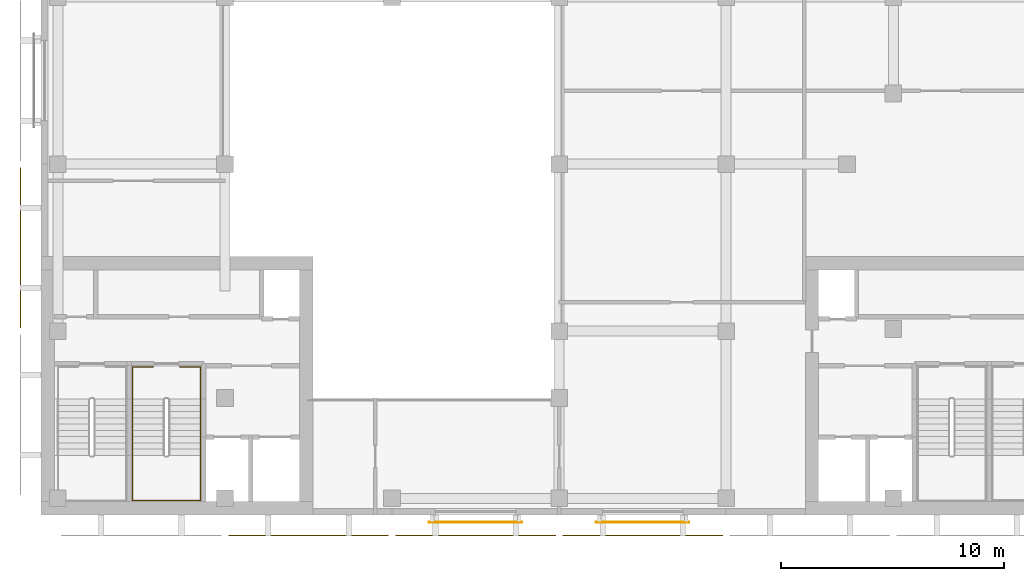
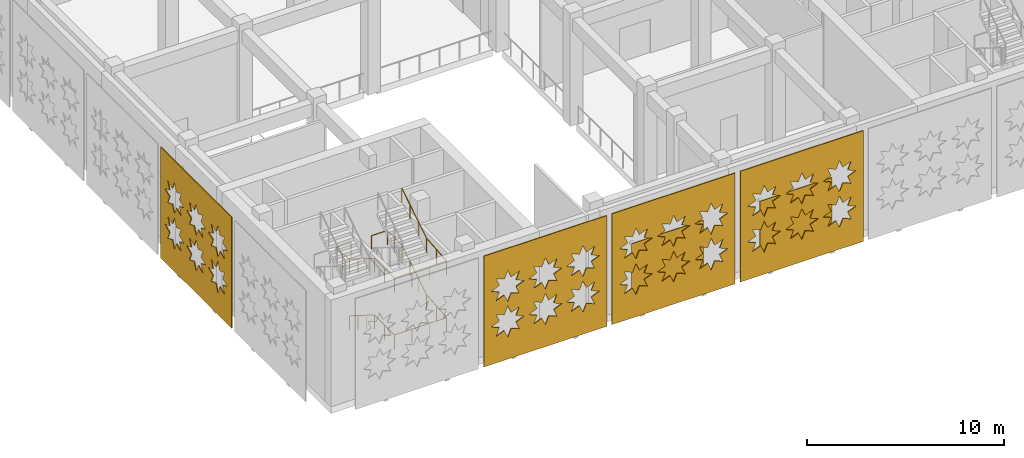
# One storey, part 30 of 42: 6 coverings, 2 railings.
"""IFC4 building model written with IfcOpenShell, lengths in metres."""

from ifc_helpers import new_model, si_unit, direction, frame, origin, origin_2d, place, context, subcontext, project, spatial, polyline, rectangle, circle, outline, extrude, material, layer, layer_set, type_object, element, save


model = new_model("IFC4")

# Units and contexts
model_context = context("Model", 3, precision=1e-05, world=origin(), true_north=direction((0.0, 1.0)))
body_context = subcontext(model_context, "Body", "Model", "MODEL_VIEW")
ifc_project = project(units=[si_unit("LENGTHUNIT", "METRE"), si_unit("AREAUNIT", "SQUARE_METRE"), si_unit("VOLUMEUNIT", "CUBIC_METRE"), si_unit("PLANEANGLEUNIT", "RADIAN"), si_unit("MASSUNIT", "GRAM", prefix="KILO")], contexts=[model_context])

# Site, building, storey
site_placement = place(None, origin())
site = spatial("IfcSite", under=ifc_project, at=site_placement, CompositionType="ELEMENT")
building_placement = place(site_placement, origin())
building = spatial("IfcBuilding", under=site, at=building_placement, Name="Tessera Arch", CompositionType="ELEMENT")
storey_placement = place(building_placement, frame((0.0, 0.0, 14.0)))
storey = spatial("IfcBuildingStorey", under=building, at=storey_placement, Name="L02", CompositionType="ELEMENT", Elevation=14.0)

# Coverings
ifc_material_1 = material(Name="Anodised aluminium pale metal", Category="aluminium")
ifc_layer_1 = layer(ifc_material_1, 0.050048828125)
ifc_layer_set_1 = layer_set([ifc_layer_1], Name="Museum lattice skin panel")
covering_type_1 = type_object("IfcCoveringType", Name="Museum lattice skin panel", PredefinedType="CLADDING", material=ifc_layer_set_1)
covering_1_placement = place(storey_placement, frame((-24.14990234375, -33.449951171875, 6.949951171875), z_axis=(0.0, 1.0, 0.0), x_axis=(1.0, 0.0, 0.0)))
element("IfcCovering", 1, at=covering_1_placement, inside=storey, type_object=covering_type_1, Name="Museum lattice skin L02 1-3", PredefinedType="CLADDING", context=body_context, shape_type="SweptSolid", body=[
    extrude(outline(polyline([(0.0, 0.0), (7.199951171875, 0.0), (7.199951171875, 6.849853515625), (0.0, 6.849853515625), (0.0, 0.0)]), holes=[polyline([(2.367919921875, 4.52490234375), (1.887939453125, 4.322998046875), (2.083984375, 3.841064453125), (1.601806640625, 4.036865234375), (1.39990234375, 3.556884765625), (1.197998046875, 4.036865234375), (0.7158203125, 3.841064453125), (0.911865234375, 4.322998046875), (0.431884765625, 4.52490234375), (0.911865234375, 4.72705078125), (0.7158203125, 5.208984375), (1.197998046875, 5.012939453125), (1.39990234375, 5.492919921875), (1.601806640625, 5.012939453125), (2.083984375, 5.208984375), (1.887939453125, 4.72705078125), (2.367919921875, 4.52490234375)]), polyline([(2.367919921875, 2.324951171875), (1.887939453125, 2.123046875), (2.083984375, 1.640869140625), (1.601806640625, 1.8369140625), (1.39990234375, 1.35693359375), (1.197998046875, 1.8369140625), (0.7158203125, 1.640869140625), (0.911865234375, 2.123046875), (0.431884765625, 2.324951171875), (0.911865234375, 2.52685546875), (0.7158203125, 3.009033203125), (1.197998046875, 2.81298828125), (1.39990234375, 3.29296875), (1.601806640625, 2.81298828125), (2.083984375, 3.009033203125), (1.887939453125, 2.52685546875), (2.367919921875, 2.324951171875)]), polyline([(4.56787109375, 4.52490234375), (4.087890625, 4.322998046875), (4.283935546875, 3.841064453125), (3.802001953125, 4.036865234375), (3.599853515625, 3.556884765625), (3.39794921875, 4.036865234375), (2.916015625, 3.841064453125), (3.11181640625, 4.322998046875), (2.6318359375, 4.52490234375), (3.11181640625, 4.72705078125), (2.916015625, 5.208984375), (3.39794921875, 5.012939453125), (3.599853515625, 5.492919921875), (3.802001953125, 5.012939453125), (4.283935546875, 5.208984375), (4.087890625, 4.72705078125), (4.56787109375, 4.52490234375)]), polyline([(4.56787109375, 2.324951171875), (4.087890625, 2.123046875), (4.283935546875, 1.640869140625), (3.802001953125, 1.8369140625), (3.599853515625, 1.35693359375), (3.39794921875, 1.8369140625), (2.916015625, 1.640869140625), (3.11181640625, 2.123046875), (2.6318359375, 2.324951171875), (3.11181640625, 2.52685546875), (2.916015625, 3.009033203125), (3.39794921875, 2.81298828125), (3.599853515625, 3.29296875), (3.802001953125, 2.81298828125), (4.283935546875, 3.009033203125), (4.087890625, 2.52685546875), (4.56787109375, 2.324951171875)]), polyline([(6.767822265625, 4.52490234375), (6.287841796875, 4.322998046875), (6.48388671875, 3.841064453125), (6.001953125, 4.036865234375), (5.7998046875, 3.556884765625), (5.597900390625, 4.036865234375), (5.115966796875, 3.841064453125), (5.31201171875, 4.322998046875), (4.831787109375, 4.52490234375), (5.31201171875, 4.72705078125), (5.115966796875, 5.208984375), (5.597900390625, 5.012939453125), (5.7998046875, 5.492919921875), (6.001953125, 5.012939453125), (6.48388671875, 5.208984375), (6.287841796875, 4.72705078125), (6.767822265625, 4.52490234375)]), polyline([(6.767822265625, 2.324951171875), (6.287841796875, 2.123046875), (6.48388671875, 1.640869140625), (6.001953125, 1.8369140625), (5.7998046875, 1.35693359375), (5.597900390625, 1.8369140625), (5.115966796875, 1.640869140625), (5.31201171875, 2.123046875), (4.831787109375, 2.324951171875), (5.31201171875, 2.52685546875), (5.115966796875, 3.009033203125), (5.597900390625, 2.81298828125), (5.7998046875, 3.29296875), (6.001953125, 2.81298828125), (6.48388671875, 3.009033203125), (6.287841796875, 2.52685546875), (6.767822265625, 2.324951171875)])]), origin(), (0.0, 0.0, -1.0), 0.050048828125),
])
covering_2_placement = place(storey_placement, frame((-16.64990234375, -33.449951171875, 6.949951171875), z_axis=(0.0, 1.0, 0.0), x_axis=(1.0, 0.0, 0.0)))
element("IfcCovering", 2, at=covering_2_placement, inside=storey, type_object=covering_type_1, Name="Museum lattice skin L02 1-4", PredefinedType="CLADDING", context=body_context, shape_type="SweptSolid", body=[
    extrude(outline(polyline([(0.0, 0.0), (7.199951171875, 0.0), (7.199951171875, 6.849853515625), (0.0, 6.849853515625), (0.0, 0.0)]), holes=[polyline([(2.367919921875, 4.52490234375), (1.887939453125, 4.322998046875), (2.083984375, 3.841064453125), (1.601806640625, 4.036865234375), (1.39990234375, 3.556884765625), (1.197998046875, 4.036865234375), (0.7158203125, 3.841064453125), (0.911865234375, 4.322998046875), (0.431884765625, 4.52490234375), (0.911865234375, 4.72705078125), (0.7158203125, 5.208984375), (1.197998046875, 5.012939453125), (1.39990234375, 5.492919921875), (1.601806640625, 5.012939453125), (2.083984375, 5.208984375), (1.887939453125, 4.72705078125), (2.367919921875, 4.52490234375)]), polyline([(2.367919921875, 2.324951171875), (1.887939453125, 2.123046875), (2.083984375, 1.640869140625), (1.601806640625, 1.8369140625), (1.39990234375, 1.35693359375), (1.197998046875, 1.8369140625), (0.7158203125, 1.640869140625), (0.911865234375, 2.123046875), (0.431884765625, 2.324951171875), (0.911865234375, 2.52685546875), (0.7158203125, 3.009033203125), (1.197998046875, 2.81298828125), (1.39990234375, 3.29296875), (1.601806640625, 2.81298828125), (2.083984375, 3.009033203125), (1.887939453125, 2.52685546875), (2.367919921875, 2.324951171875)]), polyline([(4.56787109375, 4.52490234375), (4.087890625, 4.322998046875), (4.283935546875, 3.841064453125), (3.802001953125, 4.036865234375), (3.599853515625, 3.556884765625), (3.39794921875, 4.036865234375), (2.916015625, 3.841064453125), (3.11181640625, 4.322998046875), (2.6318359375, 4.52490234375), (3.11181640625, 4.72705078125), (2.916015625, 5.208984375), (3.39794921875, 5.012939453125), (3.599853515625, 5.492919921875), (3.802001953125, 5.012939453125), (4.283935546875, 5.208984375), (4.087890625, 4.72705078125), (4.56787109375, 4.52490234375)]), polyline([(4.56787109375, 2.324951171875), (4.087890625, 2.123046875), (4.283935546875, 1.640869140625), (3.802001953125, 1.8369140625), (3.599853515625, 1.35693359375), (3.39794921875, 1.8369140625), (2.916015625, 1.640869140625), (3.11181640625, 2.123046875), (2.6318359375, 2.324951171875), (3.11181640625, 2.52685546875), (2.916015625, 3.009033203125), (3.39794921875, 2.81298828125), (3.599853515625, 3.29296875), (3.802001953125, 2.81298828125), (4.283935546875, 3.009033203125), (4.087890625, 2.52685546875), (4.56787109375, 2.324951171875)]), polyline([(6.767822265625, 4.52490234375), (6.287841796875, 4.322998046875), (6.48388671875, 3.841064453125), (6.001953125, 4.036865234375), (5.7998046875, 3.556884765625), (5.597900390625, 4.036865234375), (5.115966796875, 3.841064453125), (5.31201171875, 4.322998046875), (4.831787109375, 4.52490234375), (5.31201171875, 4.72705078125), (5.115966796875, 5.208984375), (5.597900390625, 5.012939453125), (5.7998046875, 5.492919921875), (6.001953125, 5.012939453125), (6.48388671875, 5.208984375), (6.287841796875, 4.72705078125), (6.767822265625, 4.52490234375)]), polyline([(6.767822265625, 2.324951171875), (6.287841796875, 2.123046875), (6.48388671875, 1.640869140625), (6.001953125, 1.8369140625), (5.7998046875, 1.35693359375), (5.597900390625, 1.8369140625), (5.115966796875, 1.640869140625), (5.31201171875, 2.123046875), (4.831787109375, 2.324951171875), (5.31201171875, 2.52685546875), (5.115966796875, 3.009033203125), (5.597900390625, 2.81298828125), (5.7998046875, 3.29296875), (6.001953125, 2.81298828125), (6.48388671875, 3.009033203125), (6.287841796875, 2.52685546875), (6.767822265625, 2.324951171875)])]), origin(), (0.0, 0.0, -1.0), 0.050048828125),
])
covering_3_placement = place(storey_placement, frame((-9.14990234375, -33.449951171875, 6.949951171875), z_axis=(0.0, 1.0, 0.0), x_axis=(1.0, 0.0, 0.0)))
element("IfcCovering", 3, at=covering_3_placement, inside=storey, type_object=covering_type_1, Name="Museum lattice skin L02 1-5", PredefinedType="CLADDING", context=body_context, shape_type="SweptSolid", body=[
    extrude(outline(polyline([(0.0, 0.0), (7.199951171875, 0.0), (7.199951171875, 6.849853515625), (0.0, 6.849853515625), (0.0, 0.0)]), holes=[polyline([(2.367919921875, 4.52490234375), (1.887939453125, 4.322998046875), (2.083984375, 3.841064453125), (1.601806640625, 4.036865234375), (1.39990234375, 3.556884765625), (1.197998046875, 4.036865234375), (0.7158203125, 3.841064453125), (0.911865234375, 4.322998046875), (0.431884765625, 4.52490234375), (0.911865234375, 4.72705078125), (0.7158203125, 5.208984375), (1.197998046875, 5.012939453125), (1.39990234375, 5.492919921875), (1.601806640625, 5.012939453125), (2.083984375, 5.208984375), (1.887939453125, 4.72705078125), (2.367919921875, 4.52490234375)]), polyline([(2.367919921875, 2.324951171875), (1.887939453125, 2.123046875), (2.083984375, 1.640869140625), (1.601806640625, 1.8369140625), (1.39990234375, 1.35693359375), (1.197998046875, 1.8369140625), (0.7158203125, 1.640869140625), (0.911865234375, 2.123046875), (0.431884765625, 2.324951171875), (0.911865234375, 2.52685546875), (0.7158203125, 3.009033203125), (1.197998046875, 2.81298828125), (1.39990234375, 3.29296875), (1.601806640625, 2.81298828125), (2.083984375, 3.009033203125), (1.887939453125, 2.52685546875), (2.367919921875, 2.324951171875)]), polyline([(4.56787109375, 4.52490234375), (4.087890625, 4.322998046875), (4.283935546875, 3.841064453125), (3.802001953125, 4.036865234375), (3.599853515625, 3.556884765625), (3.39794921875, 4.036865234375), (2.916015625, 3.841064453125), (3.11181640625, 4.322998046875), (2.6318359375, 4.52490234375), (3.11181640625, 4.72705078125), (2.916015625, 5.208984375), (3.39794921875, 5.012939453125), (3.599853515625, 5.492919921875), (3.802001953125, 5.012939453125), (4.283935546875, 5.208984375), (4.087890625, 4.72705078125), (4.56787109375, 4.52490234375)]), polyline([(4.56787109375, 2.324951171875), (4.087890625, 2.123046875), (4.283935546875, 1.640869140625), (3.802001953125, 1.8369140625), (3.599853515625, 1.35693359375), (3.39794921875, 1.8369140625), (2.916015625, 1.640869140625), (3.11181640625, 2.123046875), (2.6318359375, 2.324951171875), (3.11181640625, 2.52685546875), (2.916015625, 3.009033203125), (3.39794921875, 2.81298828125), (3.599853515625, 3.29296875), (3.802001953125, 2.81298828125), (4.283935546875, 3.009033203125), (4.087890625, 2.52685546875), (4.56787109375, 2.324951171875)]), polyline([(6.767822265625, 4.52490234375), (6.287841796875, 4.322998046875), (6.48388671875, 3.841064453125), (6.001953125, 4.036865234375), (5.7998046875, 3.556884765625), (5.597900390625, 4.036865234375), (5.115966796875, 3.841064453125), (5.31201171875, 4.322998046875), (4.831787109375, 4.52490234375), (5.31201171875, 4.72705078125), (5.115966796875, 5.208984375), (5.597900390625, 5.012939453125), (5.7998046875, 5.492919921875), (6.001953125, 5.012939453125), (6.48388671875, 5.208984375), (6.287841796875, 4.72705078125), (6.767822265625, 4.52490234375)]), polyline([(6.767822265625, 2.324951171875), (6.287841796875, 2.123046875), (6.48388671875, 1.640869140625), (6.001953125, 1.8369140625), (5.7998046875, 1.35693359375), (5.597900390625, 1.8369140625), (5.115966796875, 1.640869140625), (5.31201171875, 2.123046875), (4.831787109375, 2.324951171875), (5.31201171875, 2.52685546875), (5.115966796875, 3.009033203125), (5.597900390625, 2.81298828125), (5.7998046875, 3.29296875), (6.001953125, 2.81298828125), (6.48388671875, 3.009033203125), (6.287841796875, 2.52685546875), (6.767822265625, 2.324951171875)])]), origin(), (0.0, 0.0, -1.0), 0.050048828125),
])
covering_4_placement = place(storey_placement, frame((-33.449951171875, -16.949951171875, 6.949951171875), z_axis=(1.0, 0.0, 0.0), x_axis=(0.0, -1.0, 0.0)))
element("IfcCovering", 4, at=covering_4_placement, inside=storey, type_object=covering_type_1, Name="Museum lattice skin L02 6-12", PredefinedType="CLADDING", context=body_context, shape_type="SweptSolid", body=[
    extrude(outline(polyline([(0.0, 0.0), (7.199951171875, 0.0), (7.199951171875, 6.849853515625), (0.0, 6.849853515625), (0.0, 0.0)]), holes=[polyline([(2.3681640625, 4.52490234375), (1.887939453125, 4.322998046875), (2.083984375, 3.841064453125), (1.60205078125, 4.036865234375), (1.400146484375, 3.556884765625), (1.197998046875, 4.036865234375), (0.716064453125, 3.841064453125), (0.912109375, 4.322998046875), (0.43212890625, 4.52490234375), (0.912109375, 4.72705078125), (0.716064453125, 5.208984375), (1.197998046875, 5.012939453125), (1.400146484375, 5.492919921875), (1.60205078125, 5.012939453125), (2.083984375, 5.208984375), (1.887939453125, 4.72705078125), (2.3681640625, 4.52490234375)]), polyline([(2.3681640625, 2.324951171875), (1.887939453125, 2.123046875), (2.083984375, 1.640869140625), (1.60205078125, 1.8369140625), (1.400146484375, 1.35693359375), (1.197998046875, 1.8369140625), (0.716064453125, 1.640869140625), (0.912109375, 2.123046875), (0.43212890625, 2.324951171875), (0.912109375, 2.52685546875), (0.716064453125, 3.009033203125), (1.197998046875, 2.81298828125), (1.400146484375, 3.29296875), (1.60205078125, 2.81298828125), (2.083984375, 3.009033203125), (1.887939453125, 2.52685546875), (2.3681640625, 2.324951171875)]), polyline([(4.568115234375, 4.52490234375), (4.088134765625, 4.322998046875), (4.283935546875, 3.841064453125), (3.802001953125, 4.036865234375), (3.60009765625, 3.556884765625), (3.39794921875, 4.036865234375), (2.916015625, 3.841064453125), (3.112060546875, 4.322998046875), (2.632080078125, 4.52490234375), (3.112060546875, 4.72705078125), (2.916015625, 5.208984375), (3.39794921875, 5.012939453125), (3.60009765625, 5.492919921875), (3.802001953125, 5.012939453125), (4.283935546875, 5.208984375), (4.088134765625, 4.72705078125), (4.568115234375, 4.52490234375)]), polyline([(4.568115234375, 2.324951171875), (4.088134765625, 2.123046875), (4.283935546875, 1.640869140625), (3.802001953125, 1.8369140625), (3.60009765625, 1.35693359375), (3.39794921875, 1.8369140625), (2.916015625, 1.640869140625), (3.112060546875, 2.123046875), (2.632080078125, 2.324951171875), (3.112060546875, 2.52685546875), (2.916015625, 3.009033203125), (3.39794921875, 2.81298828125), (3.60009765625, 3.29296875), (3.802001953125, 2.81298828125), (4.283935546875, 3.009033203125), (4.088134765625, 2.52685546875), (4.568115234375, 2.324951171875)]), polyline([(6.76806640625, 4.52490234375), (6.2880859375, 4.322998046875), (6.484130859375, 3.841064453125), (6.001953125, 4.036865234375), (5.800048828125, 3.556884765625), (5.59814453125, 4.036865234375), (5.115966796875, 3.841064453125), (5.31201171875, 4.322998046875), (4.83203125, 4.52490234375), (5.31201171875, 4.72705078125), (5.115966796875, 5.208984375), (5.59814453125, 5.012939453125), (5.800048828125, 5.492919921875), (6.001953125, 5.012939453125), (6.484130859375, 5.208984375), (6.2880859375, 4.72705078125), (6.76806640625, 4.52490234375)]), polyline([(6.76806640625, 2.324951171875), (6.2880859375, 2.123046875), (6.484130859375, 1.640869140625), (6.001953125, 1.8369140625), (5.800048828125, 1.35693359375), (5.59814453125, 1.8369140625), (5.115966796875, 1.640869140625), (5.31201171875, 2.123046875), (4.83203125, 2.324951171875), (5.31201171875, 2.52685546875), (5.115966796875, 3.009033203125), (5.59814453125, 2.81298828125), (5.800048828125, 3.29296875), (6.001953125, 2.81298828125), (6.484130859375, 3.009033203125), (6.2880859375, 2.52685546875), (6.76806640625, 2.324951171875)])]), origin(), (0.0, 0.0, -1.0), 0.050048828125),
])
ifc_material_2 = material(Name="Anodised aluminium pale metal", Category="aluminium")
ifc_layer_2 = layer(ifc_material_2, 0.0400390625)
ifc_layer_set_2 = layer_set([ifc_layer_2], Name="Museum screen panel")
covering_type_2 = type_object("IfcCoveringType", Name="Museum screen panel", PredefinedType="CLADDING", material=ifc_layer_set_2)
for number, where, z_axis, x_axis, name in (
    (5, (-13.050048828125, -32.8701171875, 0.599853515625), (0.0, 0.0, 1.0), (1.0, 0.0, 0.0), "Screen panel museum L02 1-4"),
    (6, (-5.550048828125, -32.8701171875, 0.599853515625), (0.0, 0.0, 1.0), (1.0, 0.0, 0.0), "Screen panel museum L02 1-5"),
):
    element("IfcCovering", number, at=place(storey_placement, frame(where, z_axis=z_axis, x_axis=x_axis)), inside=storey, type_object=covering_type_2, Name=name, PredefinedType="CLADDING", context=body_context, shape_type="SweptSolid", body=[
        extrude(rectangle(XDim=4.199951171875, YDim=0.0400390625, at=origin_2d()), origin(), (0.0, 0.0, 1.0), 3.60009765625),
    ])

# Railings
ifc_material_3 = material(Name="Painted steel handrail", Category="steel")
railing_type = type_object("IfcRailingType", Name="Stair handrail 900", PredefinedType="HANDRAIL", material=ifc_material_3)
railing_1_placement = place(storey_placement, frame((-28.449951171875, -27.35009765625, 0.175048828125)))
element("IfcRailing", 7, at=railing_1_placement, inside=storey, type_object=railing_type, Name="L02 M2b stair handrail", PredefinedType="HANDRAIL", context=body_context, shape_type="SweptSolid", body=[
    extrude(circle(Radius=0.02392578125, at=origin_2d()), frame((0.0, 0.00341796875, 0.873779296875), z_axis=(0.0, -0.848007534815, 0.529984170421), x_axis=(1.0, 0.0, 0.0)), (0.0, 0.0, 1.0), 2.979736328125),
    extrude(circle(Radius=0.02392578125, at=origin_2d()), frame((0.0, -2.51611328125, 2.45068359375), z_axis=(0.0, -1.0, 0.0), x_axis=(1.0, 0.0, 0.0)), (0.0, 0.0, 1.0), 2.037841796875),
    extrude(circle(Radius=0.02392578125, at=origin_2d()), frame((-0.00390625, -4.5498046875, 2.45068359375), z_axis=(1.0, 0.0, 0.0), x_axis=(0.0, 1.0, 0.0)), (0.0, 0.0, 1.0), 3.05810546875),
    extrude(circle(Radius=0.02392578125, at=origin_2d()), frame((3.050048828125, -4.5537109375, 2.450439453125), z_axis=(0.0, 0.996301939653, 0.08592115597), x_axis=(-1.0, 0.0, 0.0)), (0.0, 0.0, 1.0), 2.04541015625),
    extrude(circle(Radius=0.02392578125, at=origin_2d()), frame((3.050048828125, -2.5234375, 2.623779296875), z_axis=(0.0, 0.848007534815, 0.529984170421), x_axis=(-1.0, 0.0, 0.0)), (0.0, 0.0, 1.0), 2.979736328125),
    extrude(circle(Radius=0.02392578125, at=origin_2d()), frame((3.050048828125, -0.00390625, 4.20068359375), z_axis=(0.0, 1.0, 0.0), x_axis=(-1.0, 0.0, 0.0)), (0.0, 0.0, 1.0), 1.458251953125),
    extrude(circle(Radius=0.02392578125, at=origin_2d()), frame((3.053955078125, 1.4501953125, 4.20068359375), z_axis=(-1.0, 0.0, 0.0), x_axis=(0.0, -1.0, 0.0)), (0.0, 0.0, 1.0), 0.93310546875),
    extrude(circle(Radius=0.02099609375, at=origin_2d()), origin(), (0.0, 0.0, 1.0), 0.86376953125),
    extrude(circle(Radius=0.02099609375, at=origin_2d()), frame((0.0, -0.840087890625, 0.52490234375)), (0.0, 0.0, 1.0), 0.86376953125),
    extrude(circle(Radius=0.02099609375, at=origin_2d()), frame((0.0, -1.679931640625, 1.050048828125)), (0.0, 0.0, 1.0), 0.86376953125),
    extrude(circle(Radius=0.02099609375, at=origin_2d()), frame((0.0, -2.52001953125, 1.574951171875)), (0.0, 0.0, 1.0), 0.86376953125),
    extrude(circle(Radius=0.02099609375, at=origin_2d()), frame((0.0, -3.534912109375, 1.574951171875)), (0.0, 0.0, 1.0), 0.86376953125),
    extrude(circle(Radius=0.02099609375, at=origin_2d()), frame((0.0, -4.5498046875, 1.574951171875)), (0.0, 0.0, 1.0), 0.86376953125),
    extrude(circle(Radius=0.02099609375, at=origin_2d()), frame((1.0166015625, -4.5498046875, 1.574951171875)), (0.0, 0.0, 1.0), 0.86376953125),
    extrude(circle(Radius=0.02099609375, at=origin_2d()), frame((2.033447265625, -4.5498046875, 1.574951171875)), (0.0, 0.0, 1.0), 0.86376953125),
    extrude(circle(Radius=0.02099609375, at=origin_2d()), frame((3.050048828125, -4.5498046875, 1.574951171875)), (0.0, 0.0, 1.0), 0.86376953125),
    extrude(circle(Radius=0.02099609375, at=origin_2d()), frame((3.050048828125, -3.534912109375, 1.66259765625)), (0.0, 0.0, 1.0), 0.86376953125),
    extrude(circle(Radius=0.02099609375, at=origin_2d()), frame((3.050048828125, -2.52001953125, 1.75)), (0.0, 0.0, 1.0), 0.86376953125),
    extrude(circle(Radius=0.02099609375, at=origin_2d()), frame((3.050048828125, -1.679931640625, 2.27490234375)), (0.0, 0.0, 1.0), 0.86376953125),
    extrude(circle(Radius=0.02099609375, at=origin_2d()), frame((3.050048828125, -0.840087890625, 2.800048828125)), (0.0, 0.0, 1.0), 0.86376953125),
    extrude(circle(Radius=0.02099609375, at=origin_2d()), frame((3.050048828125, 0.0, 3.324951171875)), (0.0, 0.0, 1.0), 0.86376953125),
    extrude(circle(Radius=0.02099609375, at=origin_2d()), frame((3.050048828125, 0.72509765625, 3.324951171875)), (0.0, 0.0, 1.0), 0.86376953125),
    extrude(circle(Radius=0.02099609375, at=origin_2d()), frame((3.050048828125, 1.4501953125, 3.324951171875)), (0.0, 0.0, 1.0), 0.86376953125),
    extrude(circle(Radius=0.02099609375, at=origin_2d()), frame((2.125, 1.4501953125, 3.324951171875)), (0.0, 0.0, 1.0), 0.86376953125),
])
railing_2_placement = place(storey_placement, frame((-27.52490234375, -25.89990234375, 3.5)))
element("IfcRailing", 8, at=railing_2_placement, inside=storey, type_object=railing_type, Name="L02 M2b stair handrail 2", PredefinedType="HANDRAIL", context=body_context, shape_type="SweptSolid", body=[
    extrude(circle(Radius=0.02392578125, at=origin_2d()), frame((0.00390625, 0.0, 0.8759765625), z_axis=(-1.0, 0.0, 0.0), x_axis=(0.0, -1.0, 0.0)), (0.0, 0.0, 1.0), 0.93310546875),
    extrude(circle(Radius=0.02392578125, at=origin_2d()), frame((-0.925048828125, 0.00390625, 0.87548828125), z_axis=(0.0, -0.992793556095, 0.119837201973), x_axis=(1.0, 0.0, 0.0)), (0.0, 0.0, 1.0), 1.46875),
    extrude(circle(Radius=0.02392578125, at=origin_2d()), frame((-0.925048828125, -1.44677734375, 1.048828125), z_axis=(0.0, -0.848007534815, 0.529984170421), x_axis=(1.0, 0.0, 0.0)), (0.0, 0.0, 1.0), 2.979736328125),
    extrude(circle(Radius=0.02392578125, at=origin_2d()), frame((-0.925048828125, -3.96630859375, 2.6259765625), z_axis=(0.0, -1.0, 0.0), x_axis=(1.0, 0.0, 0.0)), (0.0, 0.0, 1.0), 2.037841796875),
    extrude(circle(Radius=0.02392578125, at=origin_2d()), frame((-0.928955078125, -6.0, 2.6259765625), z_axis=(1.0, 0.0, 0.0), x_axis=(0.0, 1.0, 0.0)), (0.0, 0.0, 1.0), 3.05810546875),
    extrude(circle(Radius=0.02392578125, at=origin_2d()), frame((2.125, -6.00390625, 2.62548828125), z_axis=(0.0, 0.996301939653, 0.08592115597), x_axis=(-1.0, 0.0, 0.0)), (0.0, 0.0, 1.0), 2.04541015625),
    extrude(circle(Radius=0.02392578125, at=origin_2d()), frame((2.125, -3.9736328125, 2.798828125), z_axis=(0.0, 0.848007534815, 0.529984170421), x_axis=(-1.0, 0.0, 0.0)), (0.0, 0.0, 1.0), 2.979736328125),
    extrude(circle(Radius=0.02099609375, at=origin_2d()), origin(), (0.0, 0.0, 1.0), 0.86376953125),
    extrude(circle(Radius=0.02099609375, at=origin_2d()), frame((-0.925048828125, 0.0, 0.0)), (0.0, 0.0, 1.0), 0.86376953125),
    extrude(circle(Radius=0.02099609375, at=origin_2d()), frame((-0.925048828125, -0.72509765625, 0.08740234375)), (0.0, 0.0, 1.0), 0.86376953125),
    extrude(circle(Radius=0.02099609375, at=origin_2d()), frame((-0.925048828125, -1.4501953125, 0.175048828125)), (0.0, 0.0, 1.0), 0.86376953125),
    extrude(circle(Radius=0.02099609375, at=origin_2d()), frame((-0.925048828125, -2.290283203125, 0.699951171875)), (0.0, 0.0, 1.0), 0.86376953125),
    extrude(circle(Radius=0.02099609375, at=origin_2d()), frame((-0.925048828125, -3.130126953125, 1.22509765625)), (0.0, 0.0, 1.0), 0.86376953125),
    extrude(circle(Radius=0.02099609375, at=origin_2d()), frame((-0.925048828125, -3.97021484375, 1.75)), (0.0, 0.0, 1.0), 0.86376953125),
    extrude(circle(Radius=0.02099609375, at=origin_2d()), frame((-0.925048828125, -4.985107421875, 1.75)), (0.0, 0.0, 1.0), 0.86376953125),
    extrude(circle(Radius=0.02099609375, at=origin_2d()), frame((-0.925048828125, -6.0, 1.75)), (0.0, 0.0, 1.0), 0.86376953125),
    extrude(circle(Radius=0.02099609375, at=origin_2d()), frame((0.091552734375, -6.0, 1.75)), (0.0, 0.0, 1.0), 0.86376953125),
    extrude(circle(Radius=0.02099609375, at=origin_2d()), frame((1.1083984375, -6.0, 1.75)), (0.0, 0.0, 1.0), 0.86376953125),
    extrude(circle(Radius=0.02099609375, at=origin_2d()), frame((2.125, -6.0, 1.75)), (0.0, 0.0, 1.0), 0.86376953125),
    extrude(circle(Radius=0.02099609375, at=origin_2d()), frame((2.125, -4.985107421875, 1.83740234375)), (0.0, 0.0, 1.0), 0.86376953125),
    extrude(circle(Radius=0.02099609375, at=origin_2d()), frame((2.125, -3.97021484375, 1.925048828125)), (0.0, 0.0, 1.0), 0.86376953125),
    extrude(circle(Radius=0.02099609375, at=origin_2d()), frame((2.125, -3.130126953125, 2.449951171875)), (0.0, 0.0, 1.0), 0.86376953125),
    extrude(circle(Radius=0.02099609375, at=origin_2d()), frame((2.125, -2.290283203125, 2.97509765625)), (0.0, 0.0, 1.0), 0.86376953125),
    extrude(circle(Radius=0.02099609375, at=origin_2d()), frame((2.125, -1.4501953125, 3.5)), (0.0, 0.0, 1.0), 0.86376953125),
])

save(model, "model.ifc")
